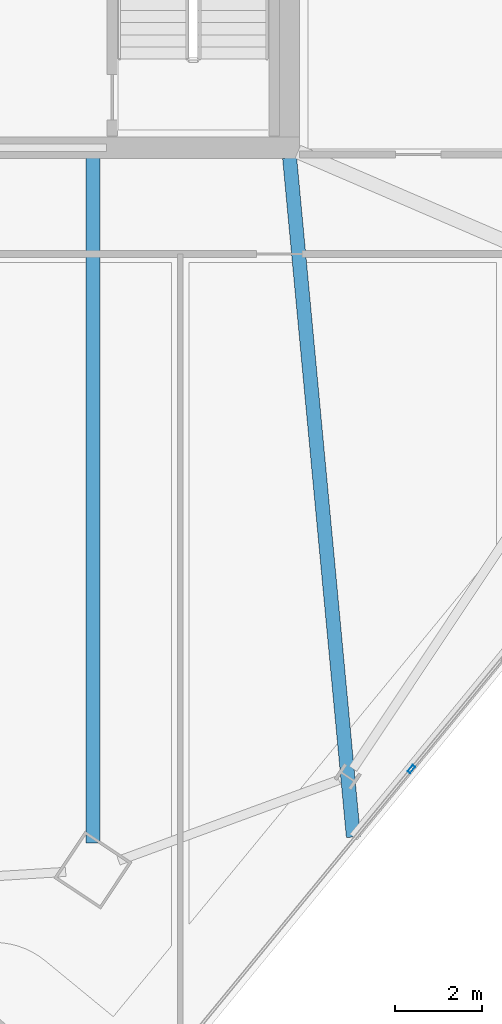
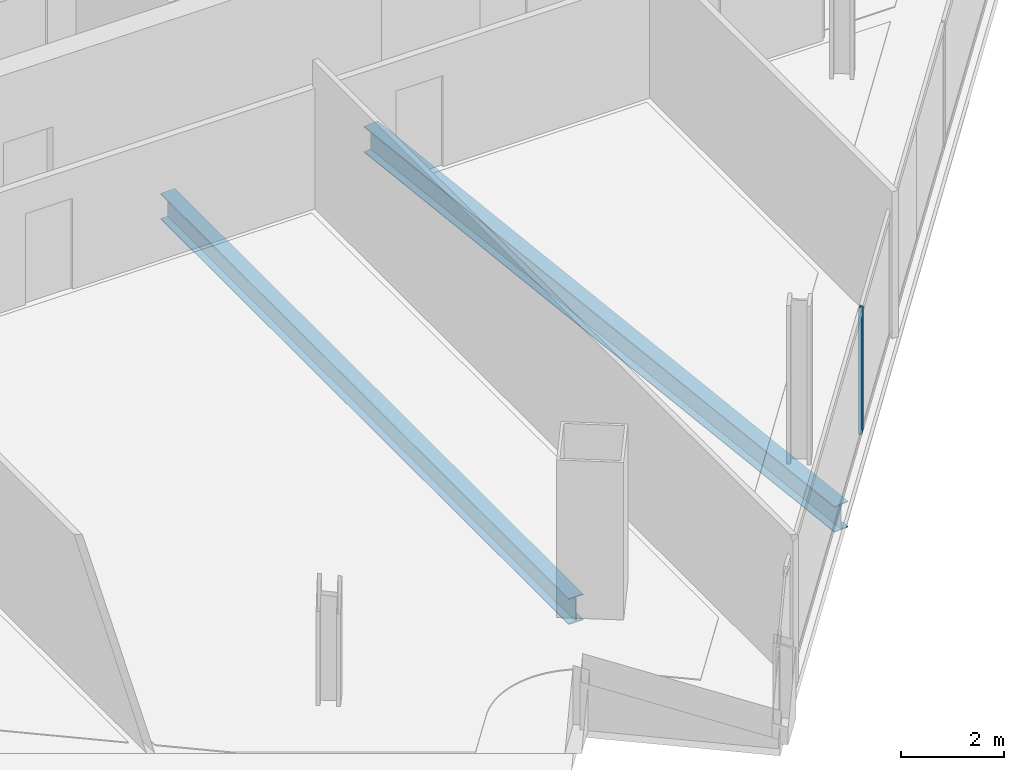
# One storey, part 9 of 28: 2 beams, 1 member, 1 element without a shape of its own.
"""IFC4 building model written with IfcOpenShell, lengths in metres."""

from ifc_helpers import new_model, si_unit, direction, frame, origin, origin_2d, place, context, subcontext, project, spatial, hollow_rectangle, i_section, extrude, material, material_profile, profile_set, type_object, element, aggregate, save


model = new_model("IFC4")

# Units and contexts
model_context = context("Model", 3, precision=1e-05, world=origin(), true_north=direction((0.0, 1.0)))
body_context = subcontext(model_context, "Body", "Model", "MODEL_VIEW")
ifc_project = project(units=[si_unit("LENGTHUNIT", "METRE"), si_unit("AREAUNIT", "SQUARE_METRE"), si_unit("VOLUMEUNIT", "CUBIC_METRE"), si_unit("PLANEANGLEUNIT", "RADIAN"), si_unit("MASSUNIT", "GRAM", prefix="KILO")], contexts=[model_context])

# Site, building, storey
site_placement = place(None, origin())
site = spatial("IfcSite", under=ifc_project, at=site_placement, CompositionType="ELEMENT")
building_placement = place(site_placement, origin())
building = spatial("IfcBuilding", under=site, at=building_placement, Name="Haldenkirk Collegiate Tower", CompositionType="ELEMENT")
storey_placement = place(building_placement, frame((0.0, 0.0, 198.449951171875)))
storey = spatial("IfcBuildingStorey", under=building, at=storey_placement, Name="L49", CompositionType="ELEMENT", Elevation=198.449951171875)

# Beams
ifc_material_1 = material(Name="Steel ASTM A992 Grade 50", Category="steel")
ifc_material_profile_1 = material_profile(ifc_material_1, i_section(OverallWidth=0.324951171875, OverallDepth=0.615966796875, WebThickness=0.013916015625, FlangeThickness=0.021484375, at=origin_2d()), Name="W24X117")
ifc_profile_set_1 = profile_set([ifc_material_profile_1], Name="Steel ASTM A992 Grade 50")
beam_type = type_object("IfcBeamType", Name="BM-GIRDER-W24X117", PredefinedType="BEAM", material=ifc_profile_set_1)
beam_1_placement = place(storey_placement, frame((40.482666015625, 1.962890625, -0.587890625), z_axis=(0.0, 1.0, 0.0), x_axis=(-1.0, 0.0, 0.0)))
element("IfcBeam", 1, at=beam_1_placement, inside=storey, type_object=beam_type, Name="L49 primary floor girder 01", PredefinedType="BEAM", context=body_context, shape_type="SweptSolid", body=[
    extrude(i_section(OverallWidth=0.324951171875, OverallDepth=0.615966796875, WebThickness=0.013916015625, FlangeThickness=0.021484375, at=origin_2d()), origin(), (0.0, 0.0, 1.0), 15.80712890625),
])
beam_2_placement = place(storey_placement, frame((46.493896484375, 2.098388671875, -0.587890625), z_axis=(-0.093536246472, 0.995615875022, 0.0), x_axis=(-0.995615875022, -0.093536246472, 0.0)))
element("IfcBeam", 2, at=beam_2_placement, inside=storey, type_object=beam_type, Name="L49 primary floor girder 05", PredefinedType="BEAM", context=body_context, shape_type="SweptSolid", body=[
    extrude(i_section(OverallWidth=0.324951171875, OverallDepth=0.615966796875, WebThickness=0.013916015625, FlangeThickness=0.021484375, at=origin_2d()), origin(), (0.0, 0.0, 1.0), 15.74169921875),
])

# Curtain wall, member
ifc_material_2 = material(Name="Anodised architectural bronze aluminium", Category="aluminium")
curtain_wall_type = type_object("IfcCurtainWallType", Name="CW-SYS2-CONCAVE", PredefinedType="USERDEFINED", material=ifc_material_2)
curtain_wall_placement = place(storey_placement, origin())
curtain_wall = element("IfcCurtainWall", 3, at=curtain_wall_placement, inside=storey, type_object=curtain_wall_type, Name="L49 South concave recessed bronze-anodised curtain wall", ObjectType="UNITISED CURTAIN WALL", PredefinedType="USERDEFINED")
ifc_material_profile_2 = material_profile(ifc_material_2, hollow_rectangle(XDim=0.074951171875, YDim=0.18994140625, WallThickness=0.0048828125, at=origin_2d()), Name="CW-MUL-02")
ifc_profile_set_2 = profile_set([ifc_material_profile_2], Name="Anodised architectural bronze aluminium")
member_type = type_object("IfcMemberType", Name="CW-MUL-02", PredefinedType="MULLION", material=ifc_profile_set_2)
member_placement = place(storey_placement, frame((47.83154296875, 3.6640625, 0.0), z_axis=(0.0, 0.0, 1.0), x_axis=(0.772733575768, -0.634730510437, 0.0)))
member = element("IfcMember", 4, at=member_placement, type_object=member_type, Name="CW-02 mullion 4", PredefinedType="MULLION", context=body_context, shape_type="SweptSolid", body=[
    extrude(hollow_rectangle(XDim=0.074951171875, YDim=0.18994140625, WallThickness=0.0048828125, at=origin_2d()), origin(), (0.0, 0.0, 1.0), 2.927978515625),
])
aggregate(curtain_wall, [member])

save(model, "model.ifc")
